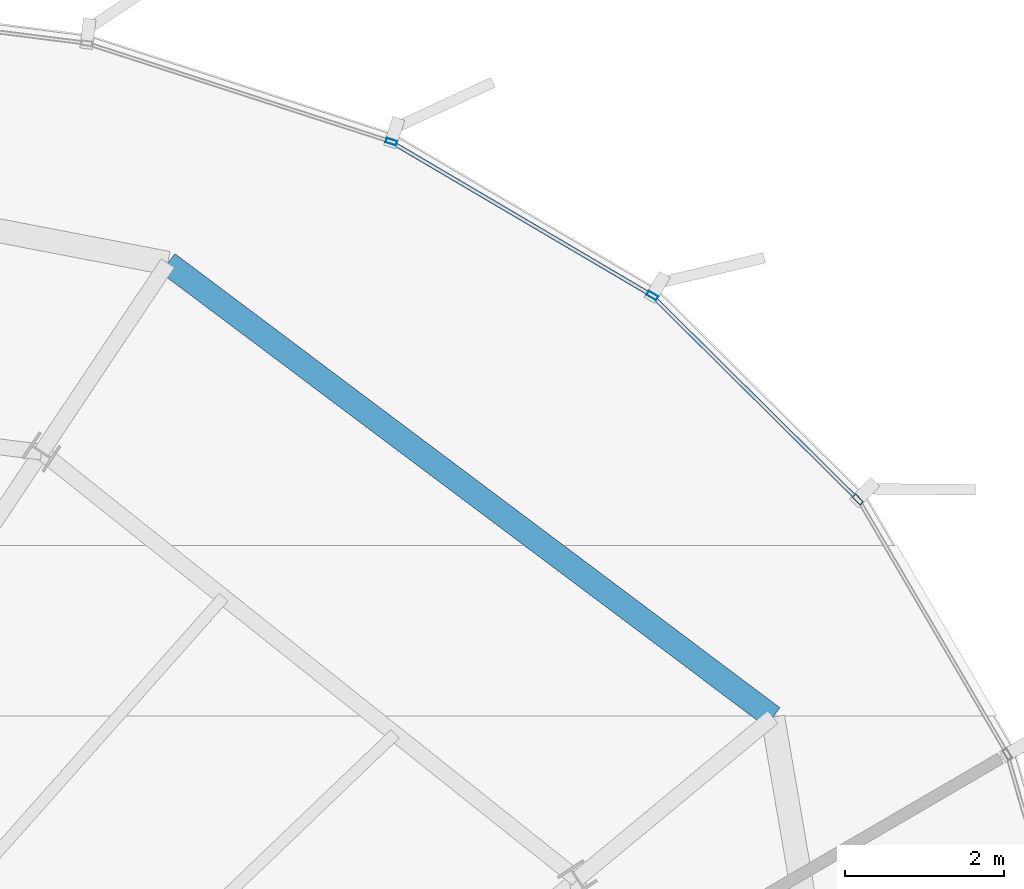
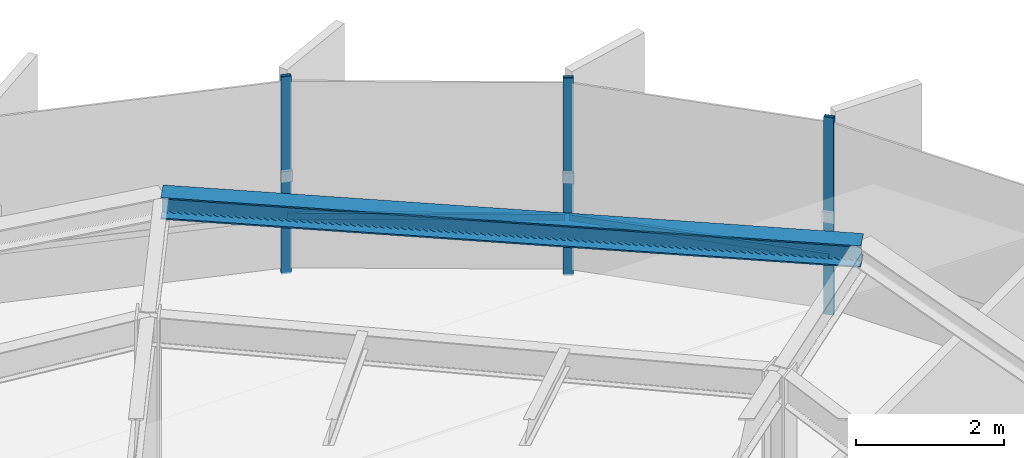
# One storey, part 26 of 34: 5 members, 1 beam, 1 element without a shape of its own.
"""IFC4 building model written with IfcOpenShell, lengths in metres."""

from ifc_helpers import new_model, si_unit, direction, frame, origin, origin_2d, place, context, subcontext, project, spatial, hollow_rectangle, i_section, extrude, source, transform, mapped, material, layer, layer_set, material_profile, profile_set, type_object, element, aggregate, save


model = new_model("IFC4")

# Units and contexts
model_context = context("Model", 3, precision=1e-05, world=origin(), true_north=direction((0.0, 1.0)))
body_context = subcontext(model_context, "Body", "Model", "MODEL_VIEW")
ifc_project = project(units=[si_unit("LENGTHUNIT", "METRE"), si_unit("AREAUNIT", "SQUARE_METRE"), si_unit("VOLUMEUNIT", "CUBIC_METRE"), si_unit("PLANEANGLEUNIT", "RADIAN"), si_unit("MASSUNIT", "GRAM", prefix="KILO"), si_unit("THERMODYNAMICTEMPERATUREUNIT", "KELVIN")], contexts=[model_context])

# Site, building, storey
site_placement = place(None, origin())
site = spatial("IfcSite", under=ifc_project, at=site_placement, CompositionType="ELEMENT")
building_placement = place(site_placement, origin())
building = spatial("IfcBuilding", under=site, at=building_placement, Name="Kethvar Cultural Tower", CompositionType="ELEMENT")
storey_placement = place(building_placement, frame((0.0, 0.0, 186.89990234375)))
storey = spatial("IfcBuildingStorey", under=building, at=storey_placement, Name="L48", CompositionType="ELEMENT", Elevation=186.89990234375)

# Beam
ifc_material_1 = material(Name="Steel S355J2", Category="steel")
ifc_material_profile_1 = material_profile(ifc_material_1, i_section(OverallWidth=0.300048828125, OverallDepth=0.360107421875, WebThickness=0.012451171875, FlangeThickness=0.0224609375, FilletRadius=0.027099609375, at=origin_2d()), Name="Steel S355J2 — HEB360")
ifc_profile_set_1 = profile_set([ifc_material_profile_1], Name="Steel S355J2 — HEB360")
beam_type = type_object("IfcBeamType", Name="BM-SP360", PredefinedType="SPANDREL", material=ifc_profile_set_1)
shared_shape_1 = source(origin(), body_context, "Body", "SweptSolid", [
    extrude(i_section(OverallWidth=0.300048828125, OverallDepth=0.360107421875, WebThickness=0.012451171875, FlangeThickness=0.0224609375, FilletRadius=0.027099609375, at=origin_2d()), origin(), (0.0, 0.0, 1.0), 9.538818359375),
])
beam_placement = place(storey_placement, frame((67.96923828125, 42.338134765625, 3.078125), z_axis=(-0.799877129966, 0.600163791775, 0.0), x_axis=(-0.600163791775, -0.799877129966, 0.0)))
element("IfcBeam", 1, at=beam_placement, inside=storey, type_object=beam_type, Name="L48 Perimeter Spandrel Beam SP-02", PredefinedType="SPANDREL", context=body_context, shape_type="MappedRepresentation", body=[
    mapped(shared_shape_1, transform((0.0, 0.0, 0.0), scale=1.0)),
])

# Curtain wall, members
ifc_material_2 = material(Name="Aluminium 6063-T6", Category="aluminium")
ifc_layer = layer(ifc_material_2, 0.179931640625, Name="Aluminium 6063-T6", Category="aluminium")
ifc_layer_set = layer_set([ifc_layer], Name="Aluminium 6063-T6 (180 mm)")
curtain_wall_type = type_object("IfcCurtainWallType", Name="CW-SYS-04-Z34", PredefinedType="NOTDEFINED", material=ifc_layer_set)
curtain_wall_placement = place(storey_placement, origin())
curtain_wall = element("IfcCurtainWall", 2, at=curtain_wall_placement, inside=storey, type_object=curtain_wall_type, Name="L48 Curtain Wall Run 01", PredefinedType="NOTDEFINED")
ifc_material_profile_2 = material_profile(ifc_material_2, hollow_rectangle(XDim=0.06005859375, YDim=0.139892578125, WallThickness=0.0048828125, at=origin_2d()), Name="Aluminium 6063-T6 — RHS140x60x5")
ifc_profile_set_2 = profile_set([ifc_material_profile_2], Name="Aluminium 6063-T6 — RHS140x60x5")
member_type_1 = type_object("IfcMemberType", Name="CW-SYS-04-Z34-MUL", PredefinedType="MULLION", material=ifc_profile_set_2)
shared_shape_2 = source(origin(), body_context, "Body", "SweptSolid", [
    extrude(hollow_rectangle(XDim=0.06005859375, YDim=0.139892578125, WallThickness=0.0048828125, at=origin_2d()), origin(), (0.0, 0.0, 1.0), 3.260009765625),
])
member_1_placement = place(storey_placement, frame((69.041015625, 45.082763671875, 0.0), z_axis=(0.0, 0.0, 1.0), x_axis=(-0.703729581059, -0.710467928018, 0.0)))
member_1 = element("IfcMember", 3, at=member_1_placement, type_object=member_type_1, Name="CW-L48-R01 Mullion 1", PredefinedType="MULLION", context=body_context, shape_type="MappedRepresentation", body=[
    mapped(shared_shape_2, transform((0.0, 0.0, 0.0), scale=1.0)),
])
member_2_placement = place(storey_placement, frame((66.450439453125, 47.653564453125, 0.0), z_axis=(0.0, 0.0, 1.0), x_axis=(-0.507207483707, -0.861823977661, 0.0)))
member_2 = element("IfcMember", 4, at=member_2_placement, type_object=member_type_1, Name="CW-L48-R01 Mullion 2", PredefinedType="MULLION", context=body_context, shape_type="MappedRepresentation", body=[
    mapped(shared_shape_2, transform((0.0, 0.0, 0.0), scale=1.0)),
])
member_3_placement = place(storey_placement, frame((63.158447265625, 49.593994140625, 0.0), z_axis=(0.0, 0.0, 1.0), x_axis=(-0.307472874694, -0.951556846083, 0.0)))
member_3 = element("IfcMember", 5, at=member_3_placement, type_object=member_type_1, Name="CW-L48-R01 Mullion 3", PredefinedType="MULLION", context=body_context, shape_type="MappedRepresentation", body=[
    mapped(shared_shape_2, transform((0.0, 0.0, 0.0), scale=1.0)),
])
ifc_material_profile_3 = material_profile(ifc_material_2, hollow_rectangle(XDim=0.050048828125, YDim=0.10009765625, WallThickness=0.00390625, at=origin_2d()), Name="Aluminium 6063-T6 — RHS100x50x4")
ifc_profile_set_3 = profile_set([ifc_material_profile_3], Name="Aluminium 6063-T6 — RHS100x50x4")
member_type_2 = type_object("IfcMemberType", Name="CW-SYS-04-Z34-TRN", PredefinedType="USERDEFINED", material=ifc_profile_set_3)
shared_shape_3 = source(origin(), body_context, "Body", "SweptSolid", [
    extrude(hollow_rectangle(XDim=0.050048828125, YDim=0.10009765625, WallThickness=0.00390625, at=origin_2d()), origin(), (0.0, 0.0, 1.0), 3.62939453125),
])
member_4_placement = place(storey_placement, frame((69.0380859375, 45.085693359375, 0.9501953125), z_axis=(-0.71049570802, 0.703701533951, 0.0), x_axis=(-0.703701533951, -0.71049570802, 0.0)))
member_4 = element("IfcMember", 6, at=member_4_placement, type_object=member_type_2, Name="CW-L48-R01 Transom 1", ObjectType="TRANSOM", PredefinedType="USERDEFINED", context=body_context, shape_type="MappedRepresentation", body=[
    mapped(shared_shape_3, transform((0.0, 0.0, 0.0), scale=1.0)),
])
shared_shape_4 = source(origin(), body_context, "Body", "SweptSolid", [
    extrude(hollow_rectangle(XDim=0.050048828125, YDim=0.10009765625, WallThickness=0.00390625, at=origin_2d()), origin(), (0.0, 0.0, 1.0), 3.759033203125),
])
member_5_placement = place(storey_placement, frame((66.4130859375, 47.67529296875, 0.9501953125), z_axis=(-0.861800615228, 0.507247178004, 0.0), x_axis=(-0.507247178004, -0.861800615228, 0.0)))
member_5 = element("IfcMember", 7, at=member_5_placement, type_object=member_type_2, Name="CW-L48-R01 Transom 2", ObjectType="TRANSOM", PredefinedType="USERDEFINED", context=body_context, shape_type="MappedRepresentation", body=[
    mapped(shared_shape_4, transform((0.0, 0.0, 0.0), scale=1.0)),
])
aggregate(curtain_wall, [member_1, member_2, member_3, member_4, member_5])

save(model, "model.ifc")
